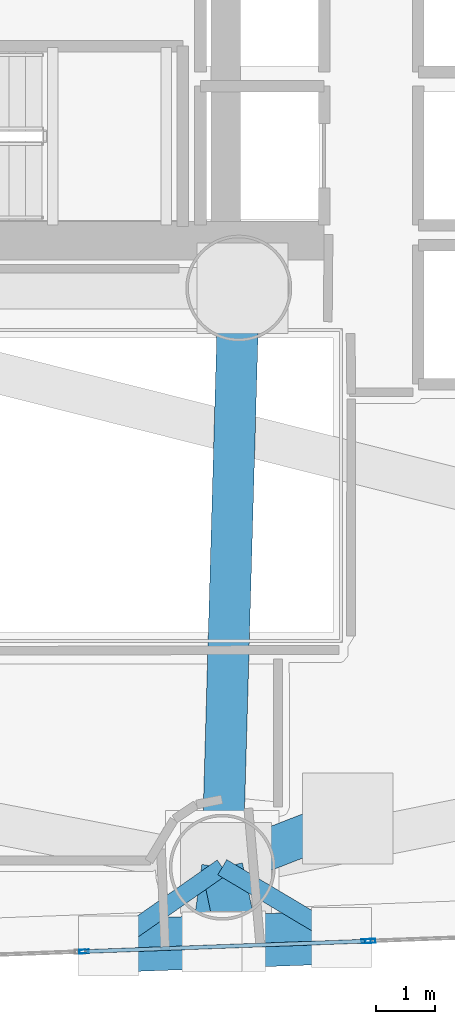
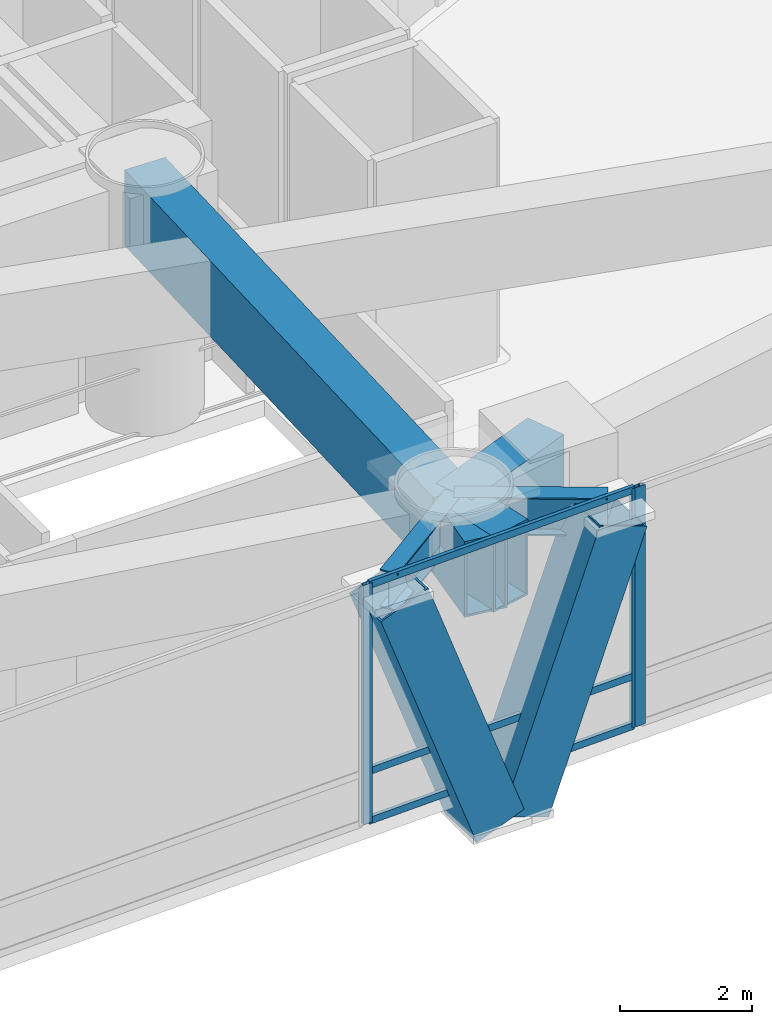
# One storey, part 5 of 22: 8 members, 6 beams, 2 elements without a shape of their own.
"""IFC4 building model written with IfcOpenShell, lengths in metres."""

from ifc_helpers import new_model, si_unit, direction, frame, origin, origin_2d, place, context, subcontext, project, spatial, hollow_rectangle, i_section, extrude, material, layer, layer_set, material_profile, profile_set, type_object, element, aggregate, save


model = new_model("IFC4")

# Units and contexts
model_context = context("Model", 3, precision=1e-05, world=origin(), true_north=direction((0.0, 1.0)))
body_context = subcontext(model_context, "Body", "Model", "MODEL_VIEW")
ifc_project = project(units=[si_unit("LENGTHUNIT", "METRE"), si_unit("AREAUNIT", "SQUARE_METRE"), si_unit("VOLUMEUNIT", "CUBIC_METRE"), si_unit("PLANEANGLEUNIT", "RADIAN"), si_unit("MASSUNIT", "GRAM", prefix="KILO")], contexts=[model_context])

# Site, building, storey
site_placement = place(None, origin())
site = spatial("IfcSite", under=ifc_project, at=site_placement, CompositionType="ELEMENT")
building_placement = place(site_placement, origin())
building = spatial("IfcBuilding", under=site, at=building_placement, Name="Qianvela Tower", CompositionType="ELEMENT")
storey_placement = place(building_placement, frame((0.0, 0.0, 47.89990234375)))
storey = spatial("IfcBuildingStorey", under=building, at=storey_placement, Name="L11", CompositionType="ELEMENT", Elevation=47.89990234375)

# Beams
ifc_material_1 = material(Name="Steel Q355B", Category="steel")
ifc_material_profile_1 = material_profile(ifc_material_1, i_section(OverallWidth=0.300048828125, OverallDepth=0.699951171875, WebThickness=0.012939453125, FlangeThickness=0.02392578125, at=origin_2d()), Name="HN700x300x13x24")
ifc_profile_set_1 = profile_set([ifc_material_profile_1], Name="Steel Q355B")
beam_type_1 = type_object("IfcBeamType", Name="BM-HN700-SPAND", PredefinedType="SPANDREL", material=ifc_profile_set_1)
beam_1_placement = place(storey_placement, frame((38.1201171875, 14.01611328125, 4.068115234375), z_axis=(-0.819103825833, -0.573645293283, 0.0), x_axis=(0.573645293283, -0.819103825833, 0.0)))
element("IfcBeam", 1, at=beam_1_placement, inside=storey, type_object=beam_type_1, Name="L11 Mega-Brace Column Tie Bracket F3-1", PredefinedType="SPANDREL", context=body_context, shape_type="SweptSolid", body=[
    extrude(i_section(OverallWidth=0.300048828125, OverallDepth=0.699951171875, WebThickness=0.012939453125, FlangeThickness=0.02392578125, at=origin_2d()), origin(), (0.0, 0.0, 1.0), 2.328369140625),
])
beam_2_placement = place(storey_placement, frame((38.1201171875, 14.01611328125, 4.068115234375), z_axis=(0.859144705417, -0.511732718471, 0.0), x_axis=(0.511732718471, 0.859144705417, 0.0)))
element("IfcBeam", 2, at=beam_2_placement, inside=storey, type_object=beam_type_1, Name="L11 Mega-Brace Column Tie Bracket F3-2", PredefinedType="SPANDREL", context=body_context, shape_type="SweptSolid", body=[
    extrude(i_section(OverallWidth=0.300048828125, OverallDepth=0.699951171875, WebThickness=0.012939453125, FlangeThickness=0.02392578125, at=origin_2d()), origin(), (0.0, 0.0, 1.0), 2.328125),
])
ifc_material_2 = material(Name="Steel Q420GJC", Category="steel")
ifc_material_profile_2 = material_profile(ifc_material_2, hollow_rectangle(XDim=0.699951171875, YDim=1.39990234375, WallThickness=0.0400390625, at=origin_2d()), Name="TG-BOX-1400x700x40")
ifc_profile_set_2 = profile_set([ifc_material_profile_2], Name="Steel Q420GJC")
beam_type_2 = type_object("IfcBeamType", Name="BM-TG-RAD-1400", PredefinedType="BEAM", material=ifc_profile_set_2)
beam_3_placement = place(storey_placement, frame((38.39990234375, 23.85009765625, 3.718017578125), z_axis=(-0.028439336302, -0.999595520273, 0.0), x_axis=(0.999595520273, -0.028439336302, 0.0)))
element("IfcBeam", 3, at=beam_3_placement, inside=storey, type_object=beam_type_2, Name="L11 Radial Outrigger Top Transfer Girder 6", PredefinedType="BEAM", context=body_context, shape_type="SweptSolid", body=[
    extrude(hollow_rectangle(XDim=0.699951171875, YDim=1.39990234375, WallThickness=0.0400390625, at=origin_2d()), origin(), (0.0, 0.0, 1.0), 9.837890625),
])
ifc_material_3 = material(Name="Steel Q420GJC", Category="steel")
ifc_material_profile_3 = material_profile(ifc_material_3, hollow_rectangle(XDim=0.699951171875, YDim=1.39990234375, WallThickness=0.0400390625, at=origin_2d()), Name="TG-BOX-1400x700x40")
ifc_profile_set_3 = profile_set([ifc_material_profile_3], Name="Steel Q420GJC")
beam_type_3 = type_object("IfcBeamType", Name="BM-TG-STEP-1400", PredefinedType="BEAM", material=ifc_profile_set_3)
beam_4_placement = place(storey_placement, frame((38.1201171875, 14.01611328125, 3.715087890625), z_axis=(-0.135053785918, -0.990838268795, 0.0), x_axis=(0.990838268795, -0.135053785918, 0.0)))
element("IfcBeam", 4, at=beam_4_placement, inside=storey, type_object=beam_type_3, Name="L11 Mega-Brace Zone Base Bracket F3-1", PredefinedType="BEAM", context=body_context, shape_type="SweptSolid", body=[
    extrude(hollow_rectangle(XDim=0.699951171875, YDim=1.39990234375, WallThickness=0.0400390625, at=origin_2d()), origin(), (0.0, 0.0, 1.0), 1.283447265625),
])
beam_5_placement = place(storey_placement, frame((38.1201171875, 14.01611328125, 3.715087890625), z_axis=(0.207553858202, -0.978223592, 0.0), x_axis=(0.978223592, 0.207553858202, 0.0)))
element("IfcBeam", 5, at=beam_5_placement, inside=storey, type_object=beam_type_3, Name="L11 Mega-Brace Zone Base Bracket F3-2", PredefinedType="BEAM", context=body_context, shape_type="SweptSolid", body=[
    extrude(hollow_rectangle(XDim=0.699951171875, YDim=1.39990234375, WallThickness=0.0400390625, at=origin_2d()), origin(), (0.0, 0.0, 1.0), 1.283203125),
])
beam_6_placement = place(storey_placement, frame((38.1201171875, 14.01611328125, 3.718017578125), z_axis=(0.932243958596, 0.361830349283, 0.0), x_axis=(-0.361830349283, 0.932243958596, 0.0)))
element("IfcBeam", 6, at=beam_6_placement, inside=storey, type_object=beam_type_3, Name="L11 Zone-Step Transfer Girder 6", PredefinedType="BEAM", context=body_context, shape_type="SweptSolid", body=[
    extrude(hollow_rectangle(XDim=0.699951171875, YDim=1.39990234375, WallThickness=0.0400390625, at=origin_2d()), origin(), (0.0, 0.0, 1.0), 2.21923828125),
])

# Curtain wall, members
ifc_material_4 = material(Name="Anodised Architectural Aluminium and Insulated Spandrel Panel", Category="aluminium")
ifc_layer_1 = layer(ifc_material_4, 0.179931640625)
ifc_layer_set_1 = layer_set([ifc_layer_1], Name="Anodised Architectural Aluminium and Insulated Spandrel Panel")
curtain_wall_type_1 = type_object("IfcCurtainWallType", Name="CW-BRACEBAY", PredefinedType="USERDEFINED", material=ifc_layer_set_1)
curtain_wall_1_placement = place(storey_placement, origin())
curtain_wall_1 = element("IfcCurtainWall", 7, at=curtain_wall_1_placement, inside=storey, type_object=curtain_wall_type_1, Name="L11 CW-BRACEBAY Curtain Wall 06B", ObjectType="CURTAIN_WALL_SYSTEM", PredefinedType="USERDEFINED")
ifc_material_5 = material(Name="Anodised Architectural Aluminium 6063-T6", Category="aluminium")
ifc_material_profile_4 = material_profile(ifc_material_5, hollow_rectangle(XDim=0.06494140625, YDim=0.159912109375, WallThickness=0.0048828125, at=origin_2d()), Name="ALU-MULL-65x160")
ifc_profile_set_4 = profile_set([ifc_material_profile_4], Name="Anodised Architectural Aluminium 6063-T6")
member_type_1 = type_object("IfcMemberType", Name="CW-BRACEBAY-MULL", PredefinedType="MULLION", material=ifc_profile_set_4)
member_1_placement = place(storey_placement, frame((35.7724609375, 12.584228515625, 0.0), z_axis=(0.0, 0.0, 1.0), x_axis=(-0.036872390877, 0.999319982183, 0.0)))
member_1 = element("IfcMember", 8, at=member_1_placement, type_object=member_type_1, Name="CW-9 mullion 1", PredefinedType="MULLION", context=body_context, shape_type="SweptSolid", body=[
    extrude(hollow_rectangle(XDim=0.06494140625, YDim=0.159912109375, WallThickness=0.0048828125, at=origin_2d()), origin(), (0.0, 0.0, 1.0), 4.420166015625),
])
member_2_placement = place(storey_placement, frame((40.564208984375, 12.760986328125, 0.0), z_axis=(0.0, 0.0, 1.0), x_axis=(-0.036872390877, 0.999319982183, 0.0)))
member_2 = element("IfcMember", 9, at=member_2_placement, type_object=member_type_1, Name="CW-9 mullion 2", PredefinedType="MULLION", context=body_context, shape_type="SweptSolid", body=[
    extrude(hollow_rectangle(XDim=0.06494140625, YDim=0.159912109375, WallThickness=0.0048828125, at=origin_2d()), origin(), (0.0, 0.0, 1.0), 4.420166015625),
])
ifc_material_6 = material(Name="Anodised Architectural Aluminium 6063-T6", Category="aluminium")
ifc_material_profile_5 = material_profile(ifc_material_6, hollow_rectangle(XDim=0.06494140625, YDim=0.1298828125, WallThickness=0.00439453125, at=origin_2d()), Name="ALU-TRAN-65x130")
ifc_profile_set_5 = profile_set([ifc_material_profile_5], Name="Anodised Architectural Aluminium 6063-T6")
member_type_2 = type_object("IfcMemberType", Name="CW-BRACEBAY-TRAN", PredefinedType="USERDEFINED", material=ifc_profile_set_5)
member_3_placement = place(storey_placement, frame((35.804931640625, 12.58544921875, 0.03271484375), z_axis=(0.999320689775, 0.036853208641, 0.0), x_axis=(-0.036853208641, 0.999320689775, 0.0)))
member_3 = element("IfcMember", 10, at=member_3_placement, type_object=member_type_2, Name="CW-9 transom 1.1", ObjectType="TRANSOM", PredefinedType="USERDEFINED", context=body_context, shape_type="SweptSolid", body=[
    extrude(hollow_rectangle(XDim=0.06494140625, YDim=0.1298828125, WallThickness=0.00439453125, at=origin_2d()), origin(), (0.0, 0.0, 1.0), 4.72998046875),
])
member_4_placement = place(storey_placement, frame((35.804931640625, 12.58544921875, 0.9501953125), z_axis=(0.999320689775, 0.036853208641, 0.0), x_axis=(-0.036853208641, 0.999320689775, 0.0)))
member_4 = element("IfcMember", 11, at=member_4_placement, type_object=member_type_2, Name="CW-9 transom 1.2", ObjectType="TRANSOM", PredefinedType="USERDEFINED", context=body_context, shape_type="SweptSolid", body=[
    extrude(hollow_rectangle(XDim=0.06494140625, YDim=0.1298828125, WallThickness=0.00439453125, at=origin_2d()), origin(), (0.0, 0.0, 1.0), 4.72998046875),
])
member_5_placement = place(storey_placement, frame((35.804931640625, 12.58544921875, 4.3876953125), z_axis=(0.999320689775, 0.036853208641, 0.0), x_axis=(-0.036853208641, 0.999320689775, 0.0)))
member_5 = element("IfcMember", 12, at=member_5_placement, type_object=member_type_2, Name="CW-9 transom 1.3", ObjectType="TRANSOM", PredefinedType="USERDEFINED", context=body_context, shape_type="SweptSolid", body=[
    extrude(hollow_rectangle(XDim=0.06494140625, YDim=0.1298828125, WallThickness=0.00439453125, at=origin_2d()), origin(), (0.0, 0.0, 1.0), 4.72998046875),
])
aggregate(curtain_wall_1, [member_1, member_2, member_3, member_4, member_5])

# Curtain wall, member
ifc_material_7 = material(Name="Anodised Architectural Aluminium and Low-E Glass", Category="aluminium")
ifc_layer_2 = layer(ifc_material_7, 0.179931640625)
ifc_layer_set_2 = layer_set([ifc_layer_2], Name="Anodised Architectural Aluminium and Low-E Glass")
curtain_wall_type_2 = type_object("IfcCurtainWallType", Name="CW-COLIV-Z12", PredefinedType="USERDEFINED", material=ifc_layer_set_2)
curtain_wall_2_placement = place(storey_placement, origin())
curtain_wall_2 = element("IfcCurtainWall", 13, at=curtain_wall_2_placement, inside=storey, type_object=curtain_wall_type_2, Name="L11 CW-COLIV-Z12 Curtain Wall 06C", ObjectType="CURTAIN_WALL_SYSTEM", PredefinedType="USERDEFINED")
ifc_material_8 = material(Name="Anodised Architectural Aluminium 6063-T6", Category="aluminium")
ifc_material_profile_6 = material_profile(ifc_material_8, hollow_rectangle(XDim=0.070068359375, YDim=0.179931640625, WallThickness=0.0048828125, at=origin_2d()), Name="ALU-MULL-70x180")
ifc_profile_set_6 = profile_set([ifc_material_profile_6], Name="Anodised Architectural Aluminium 6063-T6")
member_type_3 = type_object("IfcMemberType", Name="CW-COLIV-Z12-MULL", PredefinedType="MULLION", material=ifc_profile_set_6)
member_6_placement = place(storey_placement, frame((40.631591796875, 12.763427734375, 0.0), z_axis=(0.0, 0.0, 1.0), x_axis=(-0.036875043404, 0.999319884308, 0.0)))
member_6 = element("IfcMember", 14, at=member_6_placement, type_object=member_type_3, Name="CW-3 mullion 1", PredefinedType="MULLION", context=body_context, shape_type="SweptSolid", body=[
    extrude(hollow_rectangle(XDim=0.070068359375, YDim=0.179931640625, WallThickness=0.0048828125, at=origin_2d()), origin(), (0.0, 0.0, 1.0), 4.420166015625),
])
aggregate(curtain_wall_2, [member_6])

# Members
ifc_material_9 = material(Name="Steel Q420GJC", Category="steel")
ifc_material_profile_7 = material_profile(ifc_material_9, hollow_rectangle(XDim=0.89990234375, YDim=0.89990234375, WallThickness=0.035888671875, at=origin_2d()), Name="MBOX-900x900x36")
ifc_profile_set_7 = profile_set([ifc_material_profile_7], Name="Steel Q420GJC")
member_type_4 = type_object("IfcMemberType", Name="MBR-MBRACE-900", PredefinedType="BRACE", material=ifc_profile_set_7)
member_7_placement = place(storey_placement, frame((37.9248046875, 12.74365234375, -0.65185546875), z_axis=(-0.340935060853, -0.012593009236, 0.940002500209), x_axis=(0.036911509035, -0.999318538055, 0.0)))
element("IfcMember", 15, at=member_7_placement, inside=storey, type_object=member_type_4, Name="L11 Tier 2 Exterior Mega-Brace F3A", PredefinedType="BRACE", context=body_context, shape_type="SweptSolid", body=[
    extrude(hollow_rectangle(XDim=0.89990234375, YDim=0.89990234375, WallThickness=0.035888671875, at=origin_2d()), origin(), (0.0, 0.0, 1.0), 5.021240234375),
])
member_8_placement = place(storey_placement, frame((38.364501953125, 12.760009765625, -0.65185546875), z_axis=(0.348633639637, 0.012845928046, 0.937171044925), x_axis=(-0.036821508961, 0.999321858301, 0.0)))
element("IfcMember", 16, at=member_8_placement, inside=storey, type_object=member_type_4, Name="L11 Tier 2 Exterior Mega-Brace F3B", PredefinedType="BRACE", context=body_context, shape_type="SweptSolid", body=[
    extrude(hollow_rectangle(XDim=0.89990234375, YDim=0.89990234375, WallThickness=0.035888671875, at=origin_2d()), origin(), (0.0, 0.0, 1.0), 5.036376953125),
])

save(model, "model.ifc")
